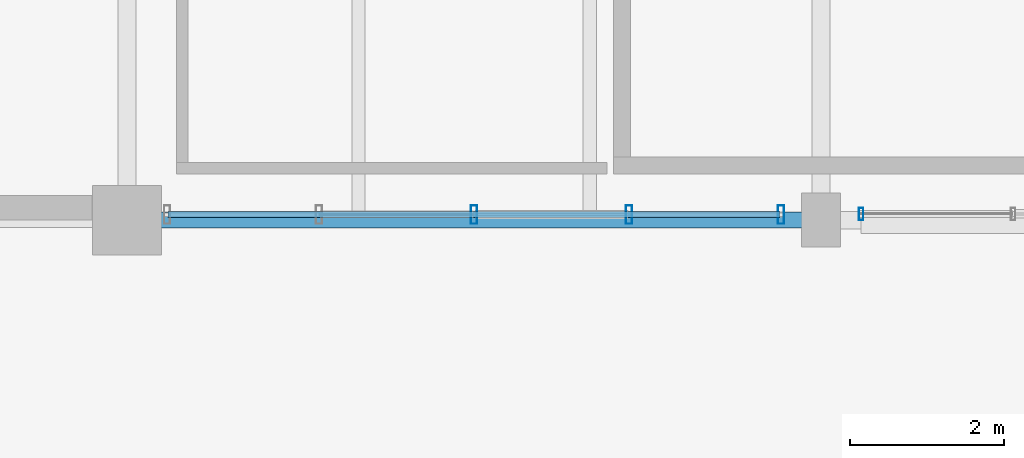
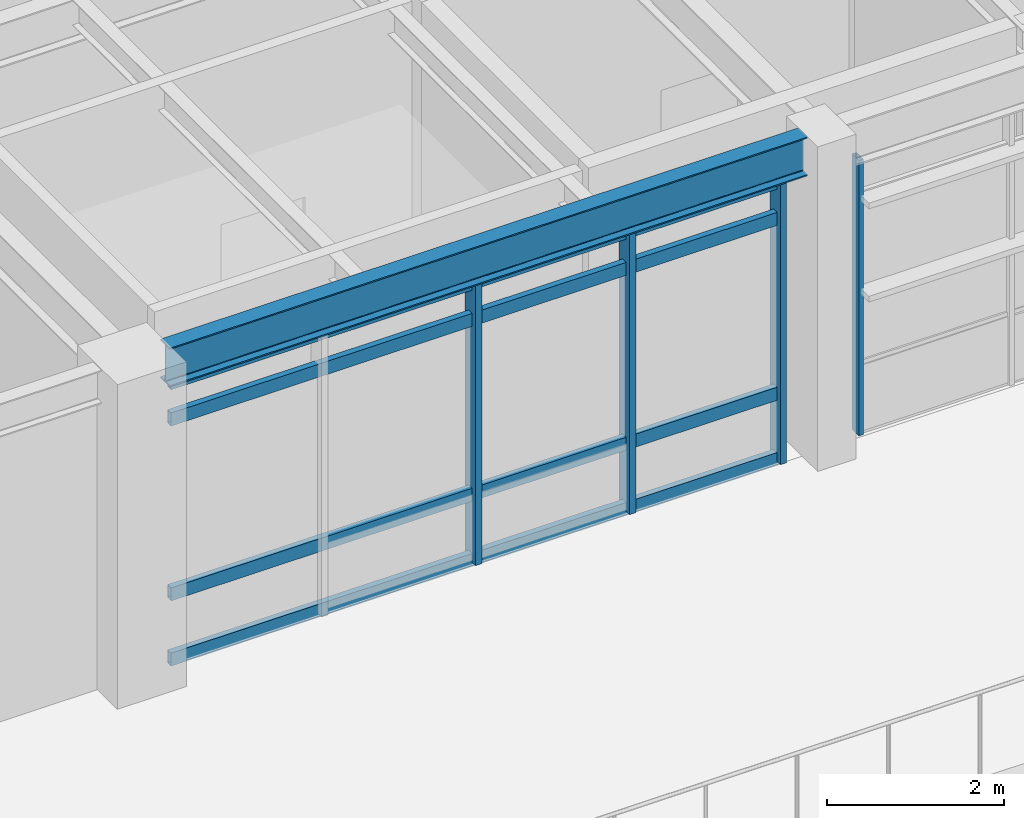
# One storey, part 25 of 200: 8 members, 1 beam, 2 elements without a shape of their own.
"""IFC4 building model written with IfcOpenShell, lengths in metres."""

from ifc_helpers import new_model, si_unit, direction, frame, origin, origin_2d, place, context, subcontext, project, spatial, hollow_rectangle, i_section, extrude, material, material_profile, profile_set, type_object, element, aggregate, save


model = new_model("IFC4")

# Units and contexts
model_context = context("Model", 3, precision=1e-05, world=origin(), true_north=direction((0.0, 1.0)))
body_context = subcontext(model_context, "Body", "Model", "MODEL_VIEW")
ifc_project = project(units=[si_unit("LENGTHUNIT", "METRE"), si_unit("AREAUNIT", "SQUARE_METRE"), si_unit("VOLUMEUNIT", "CUBIC_METRE"), si_unit("PLANEANGLEUNIT", "RADIAN"), si_unit("MASSUNIT", "GRAM", prefix="KILO"), si_unit("THERMODYNAMICTEMPERATUREUNIT", "KELVIN"), si_unit("POWERUNIT", "WATT")], contexts=[model_context])

# Site, building, storey
site_placement = place(None, origin())
site = spatial("IfcSite", under=ifc_project, at=site_placement, CompositionType="ELEMENT")
building_placement = place(site_placement, origin())
building = spatial("IfcBuilding", under=site, at=building_placement, Name="Tepalcoro Natatorium and Aquatics Centre", CompositionType="ELEMENT")
storey_placement = place(building_placement, frame((0.0, 0.0, 5.39990234375)))
storey = spatial("IfcBuildingStorey", under=building, at=storey_placement, Name="L01", CompositionType="ELEMENT", Elevation=5.39990234375)

# Curtain wall, member
ifc_material_1 = material(Name="Bronze-Anodised Extruded Aluminium Alloy EN AW-6063 T6", Category="aluminium")
curtain_wall_type_1 = type_object("IfcCurtainWallType", Name="CW_V4_VILLAGE", PredefinedType="USERDEFINED", material=ifc_material_1)
curtain_wall_1_placement = place(storey_placement, origin())
curtain_wall_1 = element("IfcCurtainWall", 1, at=curtain_wall_1_placement, inside=storey, type_object=curtain_wall_type_1, Name="V1 L01 S Unitised Curtain Wall Bay 3", ObjectType="UNITISED STOREFRONT", PredefinedType="USERDEFINED")
ifc_material_profile_1 = material_profile(ifc_material_1, hollow_rectangle(XDim=0.06005859375, YDim=0.159912109375, WallThickness=0.00390625, at=origin_2d()), Name="AL60X160X4")
ifc_profile_set_1 = profile_set([ifc_material_profile_1], Name="Bronze-Anodised Extruded Aluminium Alloy EN AW-6063 T6")
member_type_1 = type_object("IfcMemberType", Name="CW_MUL_60x160", PredefinedType="MULLION", material=ifc_profile_set_1)
member_1_placement = place(storey_placement, frame((62.52001953125, 6.580078125, 0.02001953125), z_axis=(0.0, 0.0, 1.0), x_axis=(1.0, 0.0, 0.0)))
member_1 = element("IfcMember", 2, at=member_1_placement, type_object=member_type_1, Name="CW_V4_VILLAGE Curtain Wall Mullion", PredefinedType="MULLION", context=body_context, shape_type="SweptSolid", body=[
    extrude(hollow_rectangle(XDim=0.06005859375, YDim=0.159912109375, WallThickness=0.00390625, at=origin_2d()), origin(), (0.0, 0.0, 1.0), 3.798095703125),
])
aggregate(curtain_wall_1, [member_1])

# Curtain wall, members
curtain_wall_type_2 = type_object("IfcCurtainWallType", Name="CW_V3_FOYER", PredefinedType="USERDEFINED", material=ifc_material_1)
curtain_wall_2_placement = place(storey_placement, origin())
curtain_wall_2 = element("IfcCurtainWall", 3, at=curtain_wall_2_placement, inside=storey, type_object=curtain_wall_type_2, Name="V1 L01 S Unitised Curtain Wall Bay 2", ObjectType="UNITISED STOREFRONT", PredefinedType="USERDEFINED")
ifc_material_profile_2 = material_profile(ifc_material_1, hollow_rectangle(XDim=0.080078125, YDim=0.239990234375, WallThickness=0.0048828125, at=origin_2d()), Name="AL80X240X5")
ifc_profile_set_2 = profile_set([ifc_material_profile_2], Name="Bronze-Anodised Extruded Aluminium Alloy EN AW-6063 T6")
member_type_2 = type_object("IfcMemberType", Name="CW_MUL_80x240", PredefinedType="MULLION", material=ifc_profile_set_2)
member_2_placement = place(storey_placement, frame((57.5, 6.5712890625, 0.02001953125), z_axis=(0.0, 0.0, 1.0), x_axis=(1.0, 0.0, 0.0)))
member_2 = element("IfcMember", 4, at=member_2_placement, type_object=member_type_2, Name="CW_V3_FOYER Curtain Wall Mullion", PredefinedType="MULLION", context=body_context, shape_type="SweptSolid", body=[
    extrude(hollow_rectangle(XDim=0.080078125, YDim=0.239990234375, WallThickness=0.0048828125, at=origin_2d()), origin(), (0.0, 0.0, 1.0), 3.8740234375),
])
member_3_placement = place(storey_placement, frame((59.510009765625, 6.5712890625, 0.02001953125), z_axis=(0.0, 0.0, 1.0), x_axis=(1.0, 0.0, 0.0)))
member_3 = element("IfcMember", 5, at=member_3_placement, type_object=member_type_2, Name="CW_V3_FOYER Curtain Wall Mullion", PredefinedType="MULLION", context=body_context, shape_type="SweptSolid", body=[
    extrude(hollow_rectangle(XDim=0.080078125, YDim=0.239990234375, WallThickness=0.0048828125, at=origin_2d()), origin(), (0.0, 0.0, 1.0), 3.8740234375),
])
member_4_placement = place(storey_placement, frame((61.47998046875, 6.5712890625, 0.02001953125), z_axis=(0.0, 0.0, 1.0), x_axis=(1.0, 0.0, 0.0)))
member_4 = element("IfcMember", 6, at=member_4_placement, type_object=member_type_2, Name="CW_V3_FOYER Curtain Wall Mullion", PredefinedType="MULLION", context=body_context, shape_type="SweptSolid", body=[
    extrude(hollow_rectangle(XDim=0.080078125, YDim=0.239990234375, WallThickness=0.0048828125, at=origin_2d()), origin(), (0.0, 0.0, 1.0), 3.8740234375),
])
ifc_material_profile_3 = material_profile(ifc_material_1, hollow_rectangle(XDim=0.080078125, YDim=0.179931640625, WallThickness=0.0048828125, at=origin_2d()), Name="AL80X180X5")
ifc_profile_set_3 = profile_set([ifc_material_profile_3], Name="Bronze-Anodised Extruded Aluminium Alloy EN AW-6063 T6")
member_type_3 = type_object("IfcMemberType", Name="CW_TRN_80x180", PredefinedType="USERDEFINED", material=ifc_profile_set_3)
member_5_placement = place(storey_placement, frame((53.530029296875, 6.5712890625, 0.050048828125), z_axis=(1.0, 0.0, 0.0), x_axis=(0.0, 1.0, 0.0)))
member_5 = element("IfcMember", 7, at=member_5_placement, type_object=member_type_3, Name="CW_V3_FOYER Curtain Wall Transom", ObjectType="TRANSOM", PredefinedType="USERDEFINED", context=body_context, shape_type="SweptSolid", body=[
    extrude(hollow_rectangle(XDim=0.080078125, YDim=0.179931640625, WallThickness=0.0048828125, at=origin_2d()), origin(), (0.0, 0.0, 1.0), 7.93994140625),
])
member_6_placement = place(storey_placement, frame((53.530029296875, 6.5712890625, 0.9501953125), z_axis=(1.0, 0.0, 0.0), x_axis=(0.0, 1.0, 0.0)))
member_6 = element("IfcMember", 8, at=member_6_placement, type_object=member_type_3, Name="CW_V3_FOYER Curtain Wall Transom", ObjectType="TRANSOM", PredefinedType="USERDEFINED", context=body_context, shape_type="SweptSolid", body=[
    extrude(hollow_rectangle(XDim=0.080078125, YDim=0.179931640625, WallThickness=0.0048828125, at=origin_2d()), origin(), (0.0, 0.0, 1.0), 7.93994140625),
])
member_7_placement = place(storey_placement, frame((53.530029296875, 6.5712890625, 3.364013671875), z_axis=(1.0, 0.0, 0.0), x_axis=(0.0, 1.0, 0.0)))
member_7 = element("IfcMember", 9, at=member_7_placement, type_object=member_type_3, Name="CW_V3_FOYER Curtain Wall Transom", ObjectType="TRANSOM", PredefinedType="USERDEFINED", context=body_context, shape_type="SweptSolid", body=[
    extrude(hollow_rectangle(XDim=0.080078125, YDim=0.179931640625, WallThickness=0.0048828125, at=origin_2d()), origin(), (0.0, 0.0, 1.0), 7.93994140625),
])
member_8_placement = place(storey_placement, frame((53.530029296875, 6.5712890625, 3.864013671875), z_axis=(1.0, 0.0, 0.0), x_axis=(0.0, 1.0, 0.0)))
member_8 = element("IfcMember", 10, at=member_8_placement, type_object=member_type_3, Name="CW_V3_FOYER Curtain Wall Transom", ObjectType="TRANSOM", PredefinedType="USERDEFINED", context=body_context, shape_type="SweptSolid", body=[
    extrude(hollow_rectangle(XDim=0.080078125, YDim=0.179931640625, WallThickness=0.0048828125, at=origin_2d()), origin(), (0.0, 0.0, 1.0), 7.93994140625),
])
aggregate(curtain_wall_2, [member_2, member_3, member_4, member_5, member_6, member_7, member_8])

# Beam
ifc_material_2 = material(Name="Steel ASTM A992 Grade 50 (Fy 345 MPa)", Category="steel")
ifc_material_profile_4 = material_profile(ifc_material_2, i_section(OverallWidth=0.2099609375, OverallDepth=0.535888671875, WebThickness=0.010986328125, FlangeThickness=0.01708984375, FilletRadius=0.013916015625, at=origin_2d()), Name="W21X68")
ifc_profile_set_4 = profile_set([ifc_material_profile_4], Name="Steel ASTM A992 Grade 50 (Fy 345 MPa)")
beam_type = type_object("IfcBeamType", Name="SP_W21x68", PredefinedType="SPANDREL", material=ifc_profile_set_4)
beam_placement = place(storey_placement, frame((53.43505859375, 6.5, 4.197021484375), z_axis=(1.0, 0.0, 0.0), x_axis=(0.0, 1.0, 0.0)))
element("IfcBeam", 11, at=beam_placement, inside=storey, type_object=beam_type, Name="V1 L01 Grid Girder X", PredefinedType="SPANDREL", context=body_context, shape_type="SweptSolid", body=[
    extrude(i_section(OverallWidth=0.2099609375, OverallDepth=0.535888671875, WebThickness=0.010986328125, FlangeThickness=0.01708984375, FilletRadius=0.013916015625, at=origin_2d()), origin(), (0.0, 0.0, 1.0), 8.329833984375),
])

save(model, "model.ifc")
